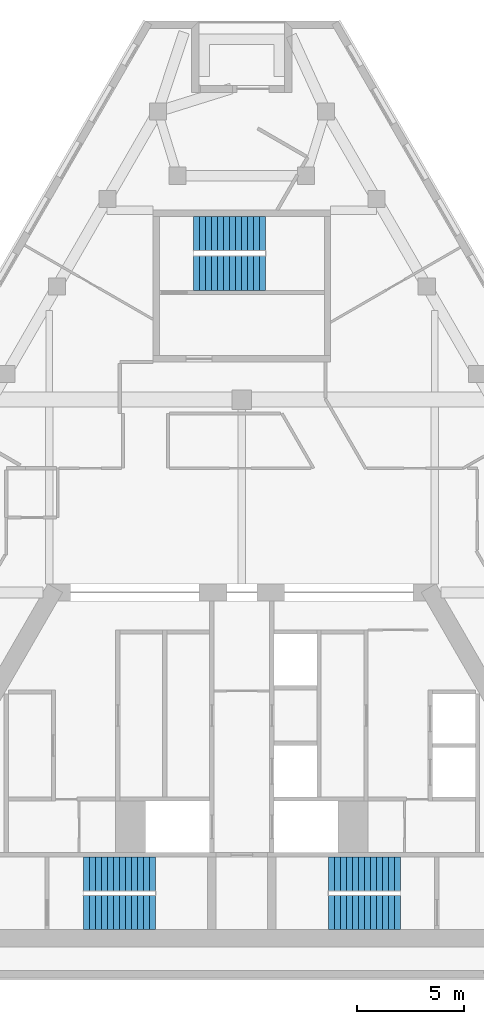
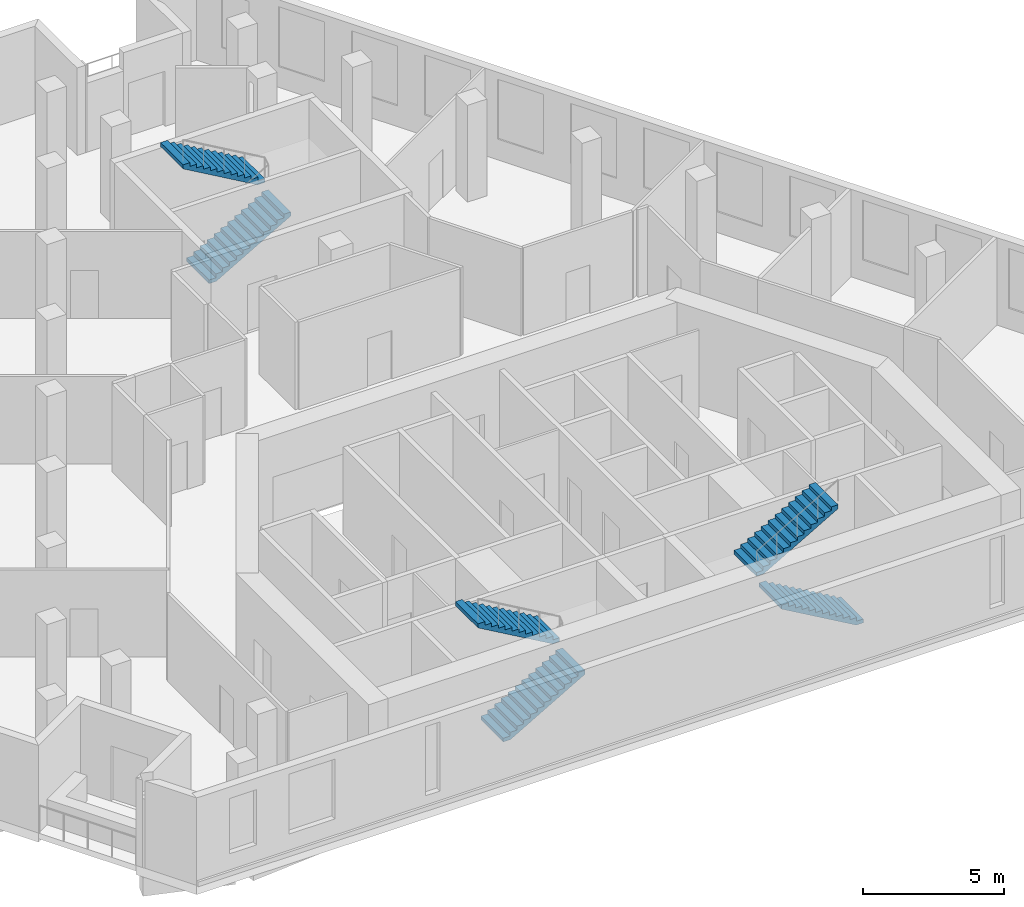
# One storey, part 7 of 8: 6 stair flights, 3 elements without a shape of their own.
"""IFC4 building model written with IfcOpenShell, lengths in metres."""

from ifc_helpers import new_model, si_unit, direction, frame, origin, place, context, subcontext, project, spatial, polyline, outline, extrude, material, type_object, element, aggregate, save


model = new_model("IFC4")

# Units and contexts
model_context = context("Model", 3, precision=1e-05, world=origin(), true_north=direction((0.0, 1.0)))
body_context = subcontext(model_context, "Body", "Model", "MODEL_VIEW")
ifc_project = project(units=[si_unit("LENGTHUNIT", "METRE"), si_unit("AREAUNIT", "SQUARE_METRE"), si_unit("VOLUMEUNIT", "CUBIC_METRE"), si_unit("PLANEANGLEUNIT", "RADIAN"), si_unit("MASSUNIT", "GRAM", prefix="KILO")], contexts=[model_context])

# Site, building, storey
site_placement = place(None, origin())
site = spatial("IfcSite", under=ifc_project, at=site_placement, CompositionType="ELEMENT")
building_placement = place(site_placement, origin())
building = spatial("IfcBuilding", under=site, at=building_placement, Name="Fogline Exchange Tower", CompositionType="ELEMENT")
storey_placement = place(building_placement, frame((0.0, 0.0, 270.89990234375)))
storey = spatial("IfcBuildingStorey", under=building, at=storey_placement, Name="L61", CompositionType="ELEMENT", Elevation=270.89990234375)

# Stair, stair flights
ifc_material = material(Name="Concrete C40", Category="concrete")
stair_type = type_object("IfcStairType", Name="STR26-1615", PredefinedType="HALF_TURN_STAIR", material=ifc_material)
stair_1_placement = place(storey_placement, origin())
stair_1 = element("IfcStair", 1, at=stair_1_placement, inside=storey, type_object=stair_type, Name="Stair ST1", PredefinedType="HALF_TURN_STAIR")
stair_flight_type = type_object("IfcStairFlightType", Name="SF13-1615", PredefinedType="STRAIGHT", material=ifc_material)
stair_flight_1_placement = place(storey_placement, frame((-7.39990234375, 3.050048828125, 0.0), z_axis=(0.0, 0.0, 1.0), x_axis=(1.0, 0.0, 0.0)))
stair_flight_1 = element("IfcStairFlight", 2, at=stair_flight_1_placement, type_object=stair_flight_type, Name="ST1 flight 1", NumberOfRisers=13, NumberOfTreads=12, PredefinedType="STRAIGHT", RiserHeight=0.161538462, TreadLength=0.28, context=body_context, shape_type="SweptSolid", body=[
    extrude(outline(polyline([(0.0, 0.0), (0.0, 0.16162109375), (0.280029296875, 0.16162109375), (0.280029296875, 0.322998046875), (0.56005859375, 0.322998046875), (0.56005859375, 0.484619140625), (0.840087890625, 0.484619140625), (0.840087890625, 0.646240234375), (1.1201171875, 0.646240234375), (1.1201171875, 0.8076171875), (1.39990234375, 0.8076171875), (1.39990234375, 0.96923828125), (1.679931640625, 0.96923828125), (1.679931640625, 1.130859375), (1.9599609375, 1.130859375), (1.9599609375, 1.292236328125), (2.239990234375, 1.292236328125), (2.239990234375, 1.453857421875), (2.52001953125, 1.453857421875), (2.52001953125, 1.615478515625), (2.800048828125, 1.615478515625), (2.800048828125, 1.77685546875), (3.080078125, 1.77685546875), (3.080078125, 1.9384765625), (3.360107421875, 1.9384765625), (3.360107421875, 2.10009765625), (3.360107421875, 1.765380859375), (0.300048828125, 0.0), (0.0, 0.0)])), frame((0.0, 0.800048828125, 0.0), z_axis=(0.0, -1.0, 0.0), x_axis=(1.0, 0.0, 0.0)), (0.0, 0.0, 1.0), 1.60009765625),
])
stair_flight_2_placement = place(storey_placement, frame((-4.0400390625, 4.85009765625, 2.10009765625), z_axis=(0.0, 0.0, 1.0), x_axis=(-1.0, 0.0, 0.0)))
stair_flight_2 = element("IfcStairFlight", 3, at=stair_flight_2_placement, type_object=stair_flight_type, Name="ST1 flight 2", NumberOfRisers=13, NumberOfTreads=12, PredefinedType="STRAIGHT", RiserHeight=0.161538462, TreadLength=0.28, context=body_context, shape_type="SweptSolid", body=[
    extrude(outline(polyline([(0.0, 0.0), (0.0, 0.16162109375), (0.280029296875, 0.16162109375), (0.280029296875, 0.322998046875), (0.56005859375, 0.322998046875), (0.56005859375, 0.484619140625), (0.840087890625, 0.484619140625), (0.840087890625, 0.646240234375), (1.1201171875, 0.646240234375), (1.1201171875, 0.8076171875), (1.39990234375, 0.8076171875), (1.39990234375, 0.96923828125), (1.679931640625, 0.96923828125), (1.679931640625, 1.130859375), (1.9599609375, 1.130859375), (1.9599609375, 1.292236328125), (2.239990234375, 1.292236328125), (2.239990234375, 1.453857421875), (2.52001953125, 1.453857421875), (2.52001953125, 1.615478515625), (2.800048828125, 1.615478515625), (2.800048828125, 1.77685546875), (3.080078125, 1.77685546875), (3.080078125, 1.9384765625), (3.360107421875, 1.9384765625), (3.360107421875, 2.10009765625), (3.360107421875, 1.765380859375), (0.300048828125, 0.0), (0.0, 0.0)])), frame((0.0, 0.800048828125, 0.0), z_axis=(0.0, -1.0, 0.0), x_axis=(1.0, 0.0, 0.0)), (0.0, 0.0, 1.0), 1.60009765625),
])
aggregate(stair_1, [stair_flight_1, stair_flight_2])

stair_2_placement = place(storey_placement, origin())
stair_2 = element("IfcStair", 4, at=stair_2_placement, inside=storey, type_object=stair_type, Name="Stair ST2", PredefinedType="HALF_TURN_STAIR")
stair_flight_3_placement = place(storey_placement, frame((7.39990234375, 3.050048828125, 0.0), z_axis=(0.0, 0.0, 1.0), x_axis=(-1.0, 0.0, 0.0)))
stair_flight_3 = element("IfcStairFlight", 5, at=stair_flight_3_placement, type_object=stair_flight_type, Name="ST2 flight 1", NumberOfRisers=13, NumberOfTreads=12, PredefinedType="STRAIGHT", RiserHeight=0.161538462, TreadLength=0.28, context=body_context, shape_type="SweptSolid", body=[
    extrude(outline(polyline([(0.0, 0.0), (0.0, 0.16162109375), (0.280029296875, 0.16162109375), (0.280029296875, 0.322998046875), (0.56005859375, 0.322998046875), (0.56005859375, 0.484619140625), (0.840087890625, 0.484619140625), (0.840087890625, 0.646240234375), (1.1201171875, 0.646240234375), (1.1201171875, 0.8076171875), (1.39990234375, 0.8076171875), (1.39990234375, 0.96923828125), (1.679931640625, 0.96923828125), (1.679931640625, 1.130859375), (1.9599609375, 1.130859375), (1.9599609375, 1.292236328125), (2.239990234375, 1.292236328125), (2.239990234375, 1.453857421875), (2.52001953125, 1.453857421875), (2.52001953125, 1.615478515625), (2.800048828125, 1.615478515625), (2.800048828125, 1.77685546875), (3.080078125, 1.77685546875), (3.080078125, 1.9384765625), (3.360107421875, 1.9384765625), (3.360107421875, 2.10009765625), (3.360107421875, 1.765380859375), (0.300048828125, 0.0), (0.0, 0.0)])), frame((0.0, 0.800048828125, 0.0), z_axis=(0.0, -1.0, 0.0), x_axis=(1.0, 0.0, 0.0)), (0.0, 0.0, 1.0), 1.60009765625),
])
stair_flight_4_placement = place(storey_placement, frame((4.0400390625, 4.85009765625, 2.10009765625), z_axis=(0.0, 0.0, 1.0), x_axis=(1.0, 0.0, 0.0)))
stair_flight_4 = element("IfcStairFlight", 6, at=stair_flight_4_placement, type_object=stair_flight_type, Name="ST2 flight 2", NumberOfRisers=13, NumberOfTreads=12, PredefinedType="STRAIGHT", RiserHeight=0.161538462, TreadLength=0.28, context=body_context, shape_type="SweptSolid", body=[
    extrude(outline(polyline([(0.0, 0.0), (0.0, 0.16162109375), (0.280029296875, 0.16162109375), (0.280029296875, 0.322998046875), (0.56005859375, 0.322998046875), (0.56005859375, 0.484619140625), (0.840087890625, 0.484619140625), (0.840087890625, 0.646240234375), (1.1201171875, 0.646240234375), (1.1201171875, 0.8076171875), (1.39990234375, 0.8076171875), (1.39990234375, 0.96923828125), (1.679931640625, 0.96923828125), (1.679931640625, 1.130859375), (1.9599609375, 1.130859375), (1.9599609375, 1.292236328125), (2.239990234375, 1.292236328125), (2.239990234375, 1.453857421875), (2.52001953125, 1.453857421875), (2.52001953125, 1.615478515625), (2.800048828125, 1.615478515625), (2.800048828125, 1.77685546875), (3.080078125, 1.77685546875), (3.080078125, 1.9384765625), (3.360107421875, 1.9384765625), (3.360107421875, 2.10009765625), (3.360107421875, 1.765380859375), (0.300048828125, 0.0), (0.0, 0.0)])), frame((0.0, 0.800048828125, 0.0), z_axis=(0.0, -1.0, 0.0), x_axis=(1.0, 0.0, 0.0)), (0.0, 0.0, 1.0), 1.60009765625),
])
aggregate(stair_2, [stair_flight_3, stair_flight_4])

stair_3_placement = place(storey_placement, origin())
stair_3 = element("IfcStair", 7, at=stair_3_placement, inside=storey, type_object=stair_type, Name="Stair ST3", PredefinedType="HALF_TURN_STAIR")
stair_flight_5_placement = place(storey_placement, frame((-2.25, 32.906982421875, 0.0), z_axis=(0.0, 0.0, 1.0), x_axis=(1.0, 0.0, 0.0)))
stair_flight_5 = element("IfcStairFlight", 8, at=stair_flight_5_placement, type_object=stair_flight_type, Name="ST3 flight 1", NumberOfRisers=13, NumberOfTreads=12, PredefinedType="STRAIGHT", RiserHeight=0.161538462, TreadLength=0.28, context=body_context, shape_type="SweptSolid", body=[
    extrude(outline(polyline([(0.0, 0.0), (0.0, 0.16162109375), (0.280029296875, 0.16162109375), (0.280029296875, 0.322998046875), (0.56005859375, 0.322998046875), (0.56005859375, 0.484619140625), (0.840087890625, 0.484619140625), (0.840087890625, 0.646240234375), (1.1201171875, 0.646240234375), (1.1201171875, 0.8076171875), (1.39990234375, 0.8076171875), (1.39990234375, 0.96923828125), (1.679931640625, 0.96923828125), (1.679931640625, 1.130859375), (1.9599609375, 1.130859375), (1.9599609375, 1.292236328125), (2.239990234375, 1.292236328125), (2.239990234375, 1.453857421875), (2.52001953125, 1.453857421875), (2.52001953125, 1.615478515625), (2.800048828125, 1.615478515625), (2.800048828125, 1.77685546875), (3.080078125, 1.77685546875), (3.080078125, 1.9384765625), (3.360107421875, 1.9384765625), (3.360107421875, 2.10009765625), (3.360107421875, 1.765380859375), (0.300048828125, 0.0), (0.0, 0.0)])), frame((0.0, 0.800048828125, 0.0), z_axis=(0.0, -1.0, 0.0), x_axis=(1.0, 0.0, 0.0)), (0.0, 0.0, 1.0), 1.60009765625),
])
stair_flight_6_placement = place(storey_placement, frame((1.110107421875, 34.757080078125, 2.10009765625), z_axis=(0.0, 0.0, 1.0), x_axis=(-1.0, 0.0, 0.0)))
stair_flight_6 = element("IfcStairFlight", 9, at=stair_flight_6_placement, type_object=stair_flight_type, Name="ST3 flight 2", NumberOfRisers=13, NumberOfTreads=12, PredefinedType="STRAIGHT", RiserHeight=0.161538462, TreadLength=0.28, context=body_context, shape_type="SweptSolid", body=[
    extrude(outline(polyline([(0.0, 0.0), (0.0, 0.16162109375), (0.280029296875, 0.16162109375), (0.280029296875, 0.322998046875), (0.56005859375, 0.322998046875), (0.56005859375, 0.484619140625), (0.840087890625, 0.484619140625), (0.840087890625, 0.646240234375), (1.1201171875, 0.646240234375), (1.1201171875, 0.8076171875), (1.39990234375, 0.8076171875), (1.39990234375, 0.96923828125), (1.679931640625, 0.96923828125), (1.679931640625, 1.130859375), (1.9599609375, 1.130859375), (1.9599609375, 1.292236328125), (2.239990234375, 1.292236328125), (2.239990234375, 1.453857421875), (2.52001953125, 1.453857421875), (2.52001953125, 1.615478515625), (2.800048828125, 1.615478515625), (2.800048828125, 1.77685546875), (3.080078125, 1.77685546875), (3.080078125, 1.9384765625), (3.360107421875, 1.9384765625), (3.360107421875, 2.10009765625), (3.360107421875, 1.765380859375), (0.300048828125, 0.0), (0.0, 0.0)])), frame((0.0, 0.800048828125, 0.0), z_axis=(0.0, -1.0, 0.0), x_axis=(1.0, 0.0, 0.0)), (0.0, 0.0, 1.0), 1.60009765625),
])
aggregate(stair_3, [stair_flight_5, stair_flight_6])

save(model, "model.ifc")
